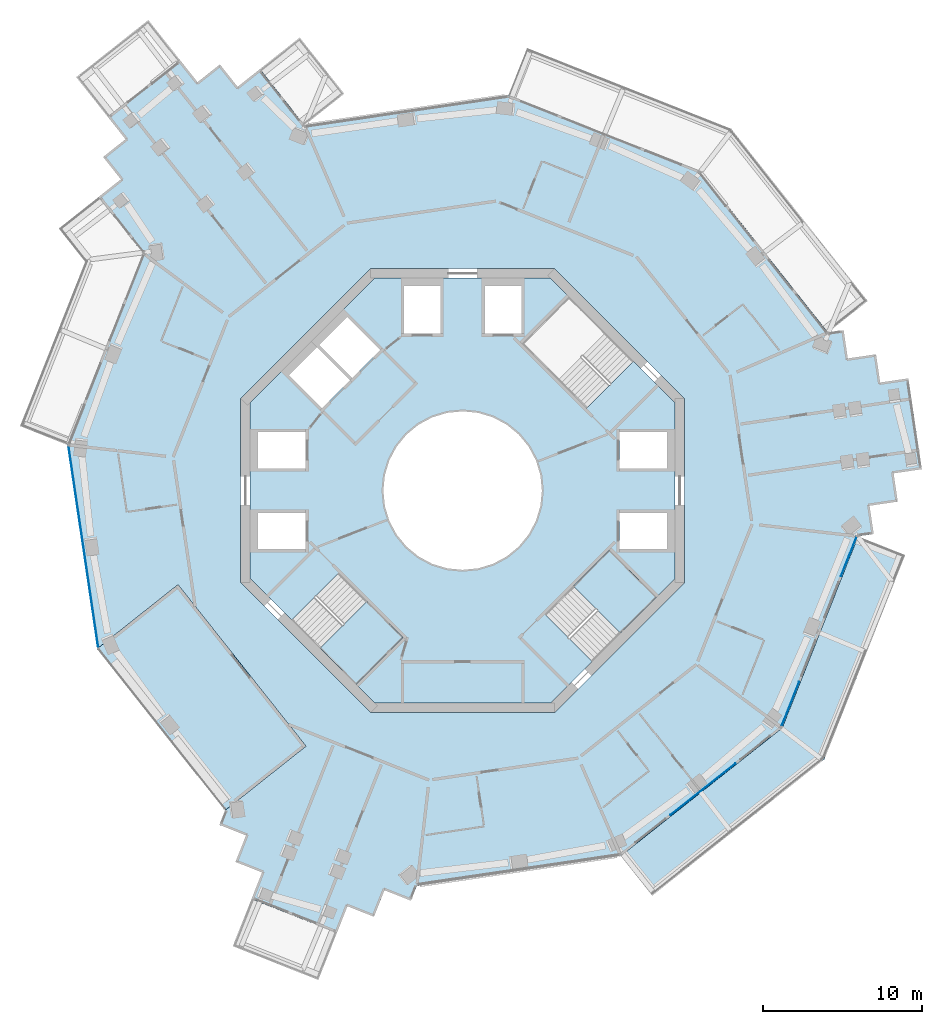
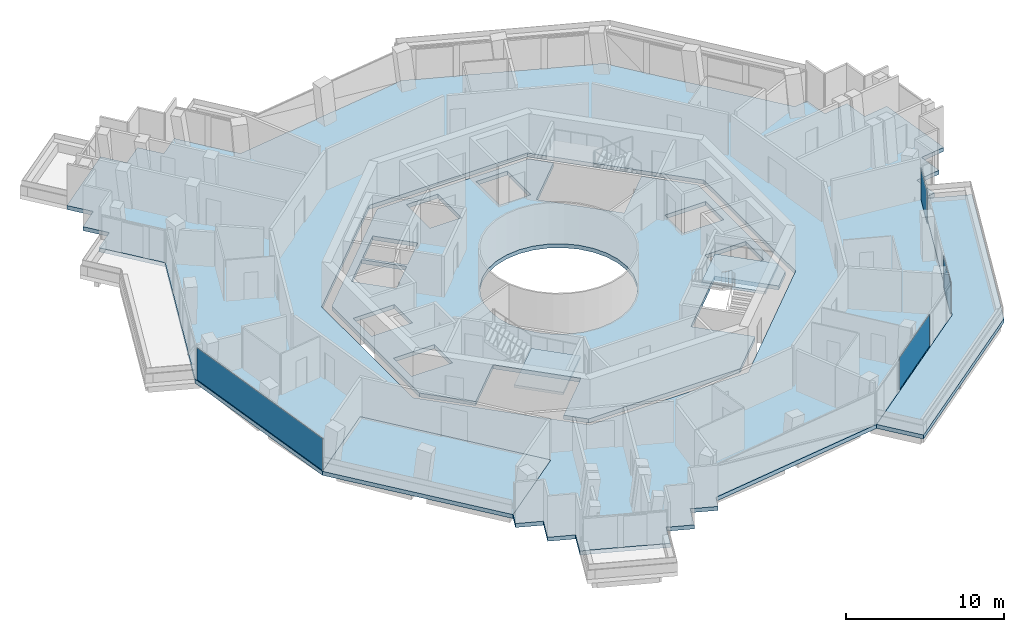
# One storey, part 11 of 21: 6 slabs, 4 plates, 5 elements without a shape of their own.
"""IFC4 building model written with IfcOpenShell, lengths in metres."""

from ifc_helpers import new_model, si_unit, direction, frame, origin, origin_2d, place, context, subcontext, project, spatial, polyline, rectangle, outline, extrude, material, layer, layer_set, type_object, element, aggregate, save


model = new_model("IFC4")

# Units and contexts
model_context = context("Model", 3, precision=1e-05, world=origin(), true_north=direction((0.0, 1.0)))
body_context = subcontext(model_context, "Body", "Model", "MODEL_VIEW")
ifc_project = project(units=[si_unit("LENGTHUNIT", "METRE"), si_unit("AREAUNIT", "SQUARE_METRE"), si_unit("VOLUMEUNIT", "CUBIC_METRE"), si_unit("PLANEANGLEUNIT", "RADIAN"), si_unit("MASSUNIT", "GRAM", prefix="KILO")], contexts=[model_context])

# Site, building, storey
site_placement = place(None, origin())
site = spatial("IfcSite", under=ifc_project, at=site_placement, CompositionType="ELEMENT")
building_placement = place(site_placement, origin())
building = spatial("IfcBuilding", under=site, at=building_placement, Name="Verdalira Terraces Hotel", CompositionType="ELEMENT")
storey_placement = place(building_placement, frame((0.0, 0.0, 190.5)))
storey = spatial("IfcBuildingStorey", under=building, at=storey_placement, Name="L46", CompositionType="ELEMENT", Elevation=190.5)

# Slab
ifc_material_1 = material(Name="Precast concrete C40/50", Category="concrete")
ifc_layer_1 = layer(ifc_material_1, 0.31005859375)
ifc_layer_set_1 = layer_set([ifc_layer_1], Name="Balcony deck 310")
slab_type_1 = type_object("IfcSlabType", Name="Balcony deck 310", PredefinedType="FLOOR", material=ifc_layer_set_1)
slab_1_placement = place(storey_placement, frame((0.0, 0.0, -0.310059)))
element("IfcSlab", 1, at=slab_1_placement, inside=storey, type_object=slab_type_1, Name="Balcony deck", PredefinedType="FLOOR", context=body_context, shape_type="SweptSolid", body=[
    extrude(outline(polyline([(27.922852, -4.064453), (24.947754, -2.886475), (20.162109, -14.973633), (9.974121, -23.048584), (11.96167, -25.556396), (22.821777, -16.948975), (27.922852, -4.064453)])), origin(), (0.0, 0.0, 1.0), 0.310059),
])

# Curtain wall, plate
ifc_material_2 = material(Name="Clear glass", Category="glass")
ifc_layer_2 = layer(ifc_material_2, 0.14990234375)
ifc_layer_set_2 = layer_set([ifc_layer_2], Name="CW1 curtain wall")
curtain_wall_type = type_object("IfcCurtainWallType", Name="CW1 curtain wall", PredefinedType="NOTDEFINED", material=ifc_layer_set_2)
curtain_wall_1_placement = place(storey_placement, origin())
curtain_wall_1 = element("IfcCurtainWall", 2, at=curtain_wall_1_placement, inside=storey, type_object=curtain_wall_type, Name="CW1 curtain wall L46 edge 12", PredefinedType="NOTDEFINED")
ifc_material_3 = material(Name="Clear glass", Category="glass")
ifc_layer_3 = layer(ifc_material_3, 0.028076171875)
ifc_layer_set_3 = layer_set([ifc_layer_3], Name="CW1 glass unit 28")
plate_type = type_object("IfcPlateType", Name="CW1 glass unit 28", PredefinedType="CURTAIN_PANEL", material=ifc_layer_set_3)
plate_1_placement = place(storey_placement, frame((-23.920898, -3.552734, 0.0), z_axis=(0.0, 0.0, 1.0), x_axis=(0.146083029, -0.989272333, 0.0)))
plate_1 = element("IfcPlate", 3, at=plate_1_placement, type_object=plate_type, Name="CW1 glass unit", PredefinedType="CURTAIN_PANEL", context=body_context, shape_type="SweptSolid", body=[
    extrude(rectangle(XDim=12.839844, YDim=0.028076, at=origin_2d()), origin(), (0.0, 0.0, 1.0), 2.475098),
])
aggregate(curtain_wall_1, [plate_1])

curtain_wall_2_placement = place(storey_placement, origin())
curtain_wall_2 = element("IfcCurtainWall", 4, at=curtain_wall_2_placement, inside=storey, type_object=curtain_wall_type, Name="CW1 curtain wall L46 edge 26", PredefinedType="NOTDEFINED")
plate_2_placement = place(storey_placement, frame((15.161865, -18.841064, 0.0), z_axis=(0.0, 0.0, 1.0), x_axis=(0.783693457, 0.62114778, 0.0)))
plate_2 = element("IfcPlate", 5, at=plate_2_placement, type_object=plate_type, Name="CW1 glass unit", PredefinedType="CURTAIN_PANEL", context=body_context, shape_type="SweptSolid", body=[
    extrude(rectangle(XDim=5.223633, YDim=0.028076, at=origin_2d()), origin(), (0.0, 0.0, 1.0), 2.475098),
])
aggregate(curtain_wall_2, [plate_2])

# Curtain wall, plates
curtain_wall_3_placement = place(storey_placement, origin())
curtain_wall_3 = element("IfcCurtainWall", 6, at=curtain_wall_3_placement, inside=storey, type_object=curtain_wall_type, Name="CW1 curtain wall L46 edge 27", PredefinedType="NOTDEFINED")
plate_3_placement = place(storey_placement, frame((20.681396, -13.458252, 0.0), z_axis=(0.0, 0.0, 1.0), x_axis=(0.368124553, 0.929776486, 0.0)))
plate_3 = element("IfcPlate", 7, at=plate_3_placement, type_object=plate_type, Name="CW1 glass unit", PredefinedType="CURTAIN_PANEL", context=body_context, shape_type="SweptSolid", body=[
    extrude(rectangle(XDim=2.999756, YDim=0.028076, at=origin_2d()), origin(), (0.0, 0.0, 1.0), 2.475098),
])
plate_4_placement = place(storey_placement, frame((24.362793, -4.159912, 0.0), z_axis=(0.0, 0.0, 1.0), x_axis=(0.368124553, 0.929776486, 0.0)))
plate_4 = element("IfcPlate", 8, at=plate_4_placement, type_object=plate_type, Name="CW1 glass unit", PredefinedType="CURTAIN_PANEL", context=body_context, shape_type="SweptSolid", body=[
    extrude(rectangle(XDim=2.678711, YDim=0.028076, at=origin_2d()), origin(), (0.0, 0.0, 1.0), 2.475098),
])
aggregate(curtain_wall_3, [plate_3, plate_4])

# Slab
ifc_material_4 = material(Name="Concrete C40", Category="concrete")
ifc_layer_4 = layer(ifc_material_4, 0.31005859375)
ifc_layer_set_4 = layer_set([ifc_layer_4], Name="Core floor slab 310 mm")
slab_type_2 = type_object("IfcSlabType", Name="Core floor slab 310 mm", PredefinedType="FLOOR", material=ifc_layer_set_4)
slab_2_placement = place(storey_placement, frame((0.0, 0.0, -0.310059)))
element("IfcSlab", 9, at=slab_2_placement, inside=storey, type_object=slab_type_2, Name="L46 core floor", PredefinedType="FLOOR", context=body_context, shape_type="SweptSolid", body=[
    extrude(outline(polyline([(-6.703369, -12.24707), (-3.719482, -9.263184), (-7.799072, -5.18335), (-10.782959, -8.16748), (-13.399902, -5.550537), (-13.399902, 5.550537), (-5.550537, 13.399902), (5.550537, 13.399902), (6.703369, 12.24707), (3.719482, 9.263184), (7.799072, 5.18335), (10.782959, 8.16748), (13.399902, 5.550537), (13.399902, -5.550537), (12.24707, -6.703369), (9.263184, -3.719482), (5.18335, -7.799072), (8.16748, -10.782959), (5.550537, -13.399902), (-5.550537, -13.399902), (-6.703369, -12.24707)]), holes=[polyline([(9.899902, -1.399902), (9.899902, -3.699951), (12.899902, -3.699951), (12.899902, -1.399902), (9.899902, -1.399902)]), polyline([(9.899902, 3.699951), (9.899902, 1.399902), (12.899902, 1.399902), (12.899902, 3.699951), (9.899902, 3.699951)]), polyline([(3.699951, 12.899902), (1.399902, 12.899902), (1.399902, 9.899902), (3.699951, 9.899902), (3.699951, 12.899902)]), polyline([(-1.399902, 12.899902), (-3.699951, 12.899902), (-3.699951, 9.899902), (-1.399902, 9.899902), (-1.399902, 12.899902)]), polyline([(-9.899902, 1.399902), (-9.899902, 3.699951), (-12.899902, 3.699951), (-12.899902, 1.399902), (-9.899902, 1.399902)]), polyline([(-9.899902, -3.699951), (-9.899902, -1.399902), (-12.899902, -1.399902), (-12.899902, -3.699951), (-9.899902, -3.699951)]), polyline([(-9.051025, 9.192383), (-6.965088, 7.106445), (-5.197266, 8.874268), (-7.283203, 10.960205), (-9.051025, 9.192383)]), polyline([(-9.192383, 9.051025), (-10.960205, 7.283203), (-8.874268, 5.197266), (-7.106445, 6.965088), (-9.192383, 9.051025)]), polyline([(3.5354, 3.5354), (2.777832, 4.157227), (1.91333, 4.619385), (0.975586, 4.903809), (0.0, 5.0), (-0.975586, 4.903809), (-1.91333, 4.619385), (-2.777832, 4.157227), (-3.5354, 3.5354), (-4.157227, 2.777832), (-4.619385, 1.91333), (-4.903809, 0.975586), (-5.0, 0.0), (-4.903809, -0.975586), (-4.619385, -1.91333), (-4.157227, -2.777832), (-3.5354, -3.5354), (-2.777832, -4.157227), (-1.91333, -4.619385), (-0.975586, -4.903809), (0.0, -5.0), (0.975586, -4.903809), (1.91333, -4.619385), (2.777832, -4.157227), (3.5354, -3.5354), (4.157227, -2.777832), (4.619385, -1.91333), (4.903809, -0.975586), (5.0, 0.0), (4.903809, 0.975586), (4.619385, 1.91333), (4.157227, 2.777832), (3.5354, 3.5354)])]), origin(), (0.0, 0.0, 1.0), 0.310059),
])

# Stair, slab
ifc_material_5 = material(Name="Concrete C40", Category="concrete")
stair_type = type_object("IfcStairType", Name="Core stair 20 risers 2050 mm wide", PredefinedType="HALF_TURN_STAIR", material=ifc_material_5)
stair_1_placement = place(storey_placement, origin())
stair_1 = element("IfcStair", 10, at=stair_1_placement, inside=storey, type_object=stair_type, Name="L46 Exit stair ST2", PredefinedType="HALF_TURN_STAIR")
ifc_material_6 = material(Name="Concrete C40", Category="concrete")
ifc_layer_5 = layer(ifc_material_6, 0.199951171875)
ifc_layer_set_5 = layer_set([ifc_layer_5], Name="Core stair landing 200 mm")
slab_type_3 = type_object("IfcSlabType", Name="Core stair landing 200 mm", PredefinedType="LANDING", material=ifc_layer_set_5)
slab_3_placement = place(storey_placement, frame((0.0, 0.0, 1.550049)))
slab_3 = element("IfcSlab", 11, at=slab_3_placement, type_object=slab_type_3, Name="ST2 landing 1", PredefinedType="LANDING", context=body_context, shape_type="SweptSolid", body=[
    extrude(outline(polyline([(-9.001709, -9.94873), (-6.717529, -12.23291), (-3.747559, -9.263184), (-6.031982, -6.97876), (-9.001709, -9.94873)])), origin(), (0.0, 0.0, 1.0), 0.199951),
])
aggregate(stair_1, [slab_3])

stair_2_placement = place(storey_placement, origin())
stair_2 = element("IfcStair", 12, at=stair_2_placement, inside=storey, type_object=stair_type, Name="L46 Exit stair ST3", PredefinedType="HALF_TURN_STAIR")
slab_4_placement = place(storey_placement, frame((0.0, 0.0, 1.550049)))
slab_4 = element("IfcSlab", 13, at=slab_4_placement, type_object=slab_type_3, Name="ST3 landing 1", PredefinedType="LANDING", context=body_context, shape_type="SweptSolid", body=[
    extrude(outline(polyline([(9.94873, -9.001709), (12.23291, -6.717529), (9.263184, -3.747559), (6.97876, -6.031982), (9.94873, -9.001709)])), origin(), (0.0, 0.0, 1.0), 0.199951),
])
aggregate(stair_2, [slab_4])

# Slabs
ifc_material_7 = material(Name="Concrete C40", Category="concrete")
ifc_layer_6 = layer(ifc_material_7, 0.31005859375)
ifc_layer_set_6 = layer_set([ifc_layer_6], Name="Floor slab 310 C40")
slab_type_4 = type_object("IfcSlabType", Name="Floor slab 310 C40", PredefinedType="FLOOR", material=ifc_layer_set_6)
slab_5_placement = place(storey_placement, frame((0.0, 0.0, -0.310059)))
element("IfcSlab", 14, at=slab_5_placement, inside=storey, type_object=slab_type_4, Name="Floor slab L46", PredefinedType="FLOOR", context=body_context, shape_type="SweptSolid", body=[
    extrude(outline(polyline([(-20.162109, 14.973633), (-24.94751, 2.886475), (-23.048584, -9.973389), (-17.95459, -5.935791), (-9.878906, -16.124512), (-14.973633, -20.162598), (-14.973877, -20.162598), (-15.341797, -21.091797), (-13.668213, -21.754395), (-14.330811, -23.427979), (-12.657227, -24.090576), (-13.319824, -25.76416), (-7.927002, -27.899414), (-7.264404, -26.22583), (-5.59082, -26.888428), (-4.928223, -25.214844), (-3.254639, -25.877441), (-2.886475, -24.94751), (9.974121, -23.048584), (20.162109, -14.973633), (24.94751, -2.886475), (25.937012, -2.740479), (25.674072, -0.959717), (27.45459, -0.696777), (27.19165, 1.083984), (28.972412, 1.34668), (28.125, 7.084717), (26.344482, 6.821777), (26.081543, 8.602295), (24.300781, 8.339355), (24.037842, 10.120117), (23.048584, 9.974121), (14.973633, 20.162109), (2.886475, 24.94751), (-9.974121, 23.048584), (-12.78418, 26.594238), (-14.194824, 25.476074), (-15.312988, 26.886719), (-16.723633, 25.768799), (-17.841797, 27.179443), (-22.387207, 23.57666), (-21.269043, 22.166016), (-22.679688, 21.048096), (-21.561523, 19.637207), (-22.972168, 18.519287), (-20.162109, 14.973633)]), holes=[polyline([(5.799072, 14.0), (14.0, 5.799072), (14.0, -5.799072), (5.799072, -14.0), (-5.799072, -14.0), (-14.0, -5.799072), (-14.0, 5.799072), (-5.799072, 14.0), (5.799072, 14.0)])]), origin(), (0.0, 0.0, 1.0), 0.310059),
])
ifc_material_8 = material(Name="Concrete C40", Category="concrete")
ifc_layer_7 = layer(ifc_material_8, 0.31005859375)
ifc_layer_set_7 = layer_set([ifc_layer_7], Name="Loggia floor deck 310 C40")
slab_type_5 = type_object("IfcSlabType", Name="Loggia floor deck 310 C40", PredefinedType="FLOOR", material=ifc_layer_set_7)
slab_6_placement = place(storey_placement, frame((0.0, 0.0, -0.310059)))
element("IfcSlab", 15, at=slab_6_placement, inside=storey, type_object=slab_type_5, Name="Loggia deck L46", PredefinedType="FLOOR", context=body_context, shape_type="SweptSolid", body=[
    extrude(outline(polyline([(-17.95459, -5.936523), (-23.048584, -9.974121), (-14.973633, -20.162109), (-9.879639, -16.124512), (-17.95459, -5.936523)])), origin(), (0.0, 0.0, 1.0), 0.310059),
])

save(model, "model.ifc")
